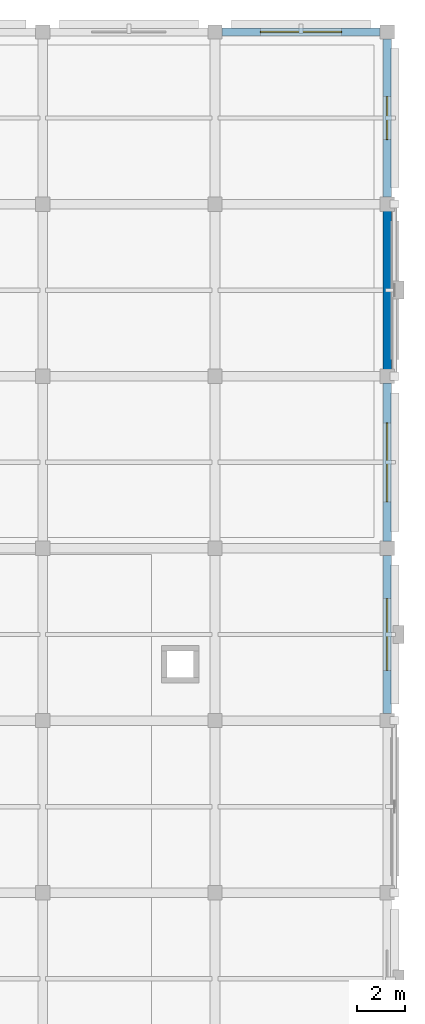
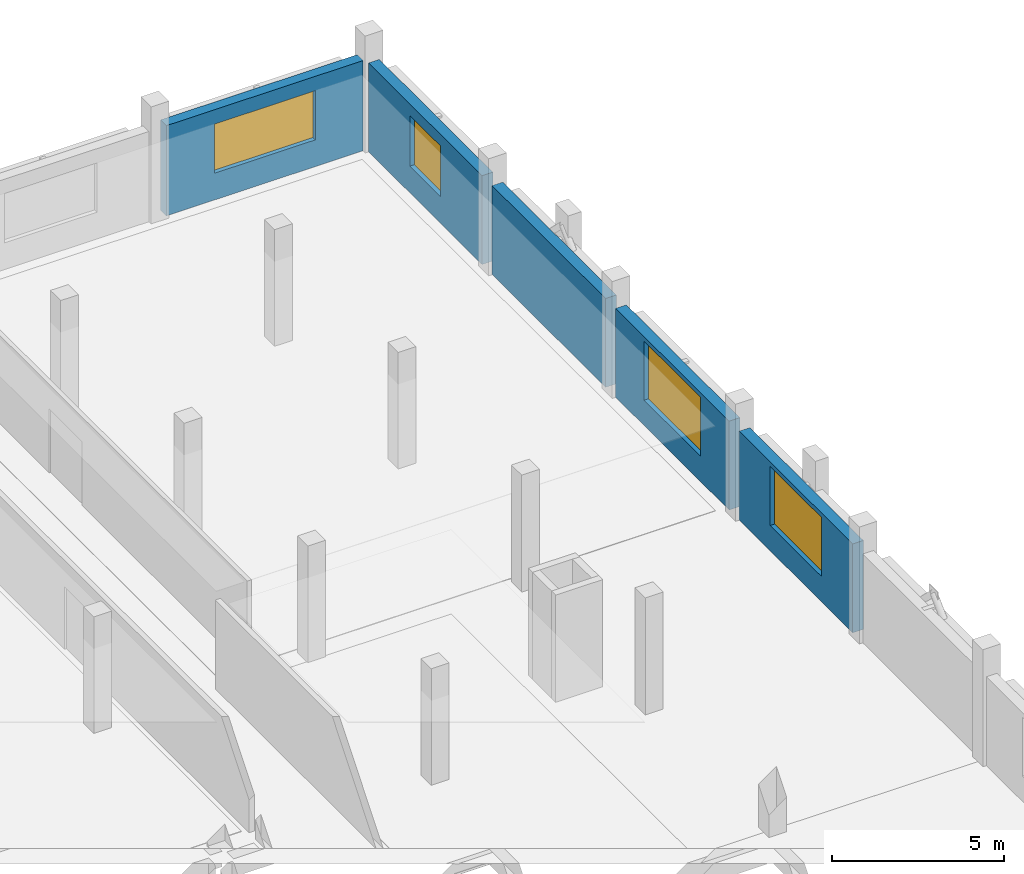
# One storey, part 39 of 51: 5 walls, 4 windows, 4 openings.
"""IFC4 building model written with IfcOpenShell, lengths in metres."""

from ifc_helpers import new_model, si_unit, direction, frame, frame_2d, origin, place, context, subcontext, project, spatial, rectangle, extrude, material, layer, layer_set, type_object, element, fill, save


model = new_model("IFC4")

# Units and contexts
model_context = context("Model", 3, precision=1e-05, world=origin(), true_north=direction((0.0, 1.0)))
body_context = subcontext(model_context, "Body", "Model", "MODEL_VIEW")
ifc_project = project(units=[si_unit("LENGTHUNIT", "METRE"), si_unit("AREAUNIT", "SQUARE_METRE"), si_unit("VOLUMEUNIT", "CUBIC_METRE"), si_unit("PLANEANGLEUNIT", "RADIAN"), si_unit("MASSUNIT", "GRAM", prefix="KILO")], contexts=[model_context])

# Site, building, storey
site_placement = place(None, origin())
site = spatial("IfcSite", under=ifc_project, at=site_placement, CompositionType="ELEMENT")
building_placement = place(site_placement, origin())
building = spatial("IfcBuilding", under=site, at=building_placement, Name="Valkovuoma Quantum and Materials Research Institute", CompositionType="ELEMENT")
storey_placement = place(building_placement, frame((0.0, 0.0, 17.280029296875)))
storey = spatial("IfcBuildingStorey", under=building, at=storey_placement, Name="L04", CompositionType="ELEMENT", Elevation=17.280029296875)

# Wall, opening, window
ifc_material_1 = material(Name="Precast concrete C40/50", Category="concrete")
ifc_layer_1 = layer(ifc_material_1, 0.340087890625)
ifc_layer_set_1 = layer_set([ifc_layer_1], Name="Precast concrete C40/50")
wall_type_1 = type_object("IfcWallType", Name="Wall-W-EXT340", PredefinedType="SOLIDWALL", material=ifc_layer_set_1)
wall_1_placement = place(storey_placement, frame((158.68994140625, 115.199951171875, 0.0), z_axis=(0.0, 0.0, 1.0), x_axis=(1.0, 0.0, 0.0)))
wall_1 = element("IfcWall", 1, at=wall_1_placement, inside=storey, type_object=wall_type_1, Name="L04 exterior wall 0316", PredefinedType="SOLIDWALL", context=body_context, shape_type="SweptSolid", body=[
    extrude(rectangle(XDim=6.6201171875, YDim=0.340087890625, at=frame_2d((3.31005859375, 0.0))), origin(), (0.0, 0.0, 1.0), 3.2099609375),
])
opening_1_placement = place(wall_1_placement, frame((1.610107421875, 0.0, 0.949951171875)))
opening_1 = element("IfcOpeningElement", 2, at=opening_1_placement, cuts=wall_1, Name="Opening WN-EX19", PredefinedType="OPENING", context=body_context, shape_type="SweptSolid", body=[
    extrude(rectangle(XDim=3.39990234375, YDim=1.75, at=frame_2d((1.699951171875, 0.875))), frame((0.0, 0.18017578125, 0.0), z_axis=(0.0, -1.0, 0.0), x_axis=(1.0, 0.0, 0.0)), (0.0, 0.0, 1.0), 0.360107421875),
])
ifc_material_2 = material(Name="Triple low-E argon glazing in thermally broken aluminium frame", Category="aluminium")
window_type_1 = type_object("IfcWindowType", Name="Win-WN-EX19", PartitioningType="SINGLE_PANEL", PredefinedType="WINDOW", material=ifc_material_2)
window_1_placement = place(opening_1_placement, origin())
window_1 = element("IfcWindow", 3, at=window_1_placement, inside=storey, type_object=window_type_1, Name="L04 window 0322", OverallHeight=1.75, OverallWidth=3.39990234375, PartitioningType="SINGLE_PANEL", PredefinedType="WINDOW", context=body_context, shape_type="SweptSolid", body=[
    extrude(rectangle(XDim=3.39990234375, YDim=1.75, at=frame_2d((1.699951171875, 0.875))), frame((0.0, 0.030029296875, 0.0), z_axis=(0.0, -1.0, 0.0), x_axis=(1.0, 0.0, 0.0)), (0.0, 0.0, 1.0), 0.06005859375),
])
fill(opening_1, window_1)

ifc_material_3 = material(Name="Precast concrete C40/50", Category="concrete")
ifc_layer_2 = layer(ifc_material_3, 0.360107421875)
ifc_layer_set_2 = layer_set([ifc_layer_2], Name="Precast concrete C40/50")
wall_type_2 = type_object("IfcWallType", Name="Wall-W-EXT360", PredefinedType="SOLIDWALL", material=ifc_layer_set_2)
wall_2_placement = place(storey_placement, frame((165.60009765625, 86.68994140625, 0.0), z_axis=(0.0, 0.0, 1.0), x_axis=(0.0, 1.0, 0.0)))
wall_2 = element("IfcWall", 4, at=wall_2_placement, inside=storey, type_object=wall_type_2, Name="L04 exterior wall 0308", PredefinedType="SOLIDWALL", context=body_context, shape_type="SweptSolid", body=[
    extrude(rectangle(XDim=6.6201171875, YDim=0.360107421875, at=frame_2d((3.31005859375, 0.0))), origin(), (0.0, 0.0, 1.0), 3.159912109375),
])
opening_2_placement = place(wall_2_placement, frame((1.81005859375, 0.0, 0.89990234375)))
opening_2 = element("IfcOpeningElement", 5, at=opening_2_placement, cuts=wall_2, Name="Opening WN-WL05", PredefinedType="OPENING", context=body_context, shape_type="SweptSolid", body=[
    extrude(rectangle(XDim=3.0, YDim=2.10009765625, at=frame_2d((1.5, 1.050048828125))), frame((0.0, 0.18994140625, 0.0), z_axis=(0.0, -1.0, 0.0), x_axis=(1.0, 0.0, 0.0)), (0.0, 0.0, 1.0), 0.380126953125),
])
ifc_material_4 = material(Name="Triple low-E argon glazing in thermally broken aluminium frame", Category="aluminium")
window_type_2 = type_object("IfcWindowType", Name="Win-WN-WL05", PartitioningType="SINGLE_PANEL", PredefinedType="WINDOW", material=ifc_material_4)
window_2_placement = place(opening_2_placement, origin())
window_2 = element("IfcWindow", 6, at=window_2_placement, inside=storey, type_object=window_type_2, Name="L04 window 0316", OverallHeight=2.10009765625, OverallWidth=3.0, PartitioningType="SINGLE_PANEL", PredefinedType="WINDOW", context=body_context, shape_type="SweptSolid", body=[
    extrude(rectangle(XDim=3.0, YDim=2.10009765625, at=frame_2d((1.5, 1.050048828125))), frame((0.0, 0.030029296875, 0.0), z_axis=(0.0, -1.0, 0.0), x_axis=(1.0, 0.0, 0.0)), (0.0, 0.0, 1.0), 0.06005859375),
])
fill(opening_2, window_2)

wall_3_placement = place(storey_placement, frame((165.60009765625, 93.889892578125, 0.0), z_axis=(0.0, 0.0, 1.0), x_axis=(0.0, 1.0, 0.0)))
wall_3 = element("IfcWall", 7, at=wall_3_placement, inside=storey, type_object=wall_type_2, Name="L04 exterior wall 0309", PredefinedType="SOLIDWALL", context=body_context, shape_type="SweptSolid", body=[
    extrude(rectangle(XDim=6.6201171875, YDim=0.360107421875, at=frame_2d((3.31005859375, 0.0))), origin(), (0.0, 0.0, 1.0), 3.159912109375),
])
opening_3_placement = place(wall_3_placement, frame((1.659912109375, 0.0, 0.89990234375)))
opening_3 = element("IfcOpeningElement", 8, at=opening_3_placement, cuts=wall_3, Name="Opening WN-WL06", PredefinedType="OPENING", context=body_context, shape_type="SweptSolid", body=[
    extrude(rectangle(XDim=3.300048828125, YDim=2.10009765625, at=frame_2d((1.64990234375, 1.050048828125))), frame((0.0, 0.18994140625, 0.0), z_axis=(0.0, -1.0, 0.0), x_axis=(1.0, 0.0, 0.0)), (0.0, 0.0, 1.0), 0.380126953125),
])
ifc_material_5 = material(Name="Triple low-E argon glazing in thermally broken aluminium frame", Category="aluminium")
window_type_3 = type_object("IfcWindowType", Name="Win-WN-WL06", PartitioningType="SINGLE_PANEL", PredefinedType="WINDOW", material=ifc_material_5)
window_3_placement = place(opening_3_placement, origin())
window_3 = element("IfcWindow", 9, at=window_3_placement, inside=storey, type_object=window_type_3, Name="L04 window 0317", OverallHeight=2.10009765625, OverallWidth=3.300048828125, PartitioningType="SINGLE_PANEL", PredefinedType="WINDOW", context=body_context, shape_type="SweptSolid", body=[
    extrude(rectangle(XDim=3.300048828125, YDim=2.10009765625, at=frame_2d((1.64990234375, 1.050048828125))), frame((0.0, 0.030029296875, 0.0), z_axis=(0.0, -1.0, 0.0), x_axis=(1.0, 0.0, 0.0)), (0.0, 0.0, 1.0), 0.06005859375),
])
fill(opening_3, window_3)

# Wall
wall_4_placement = place(storey_placement, frame((165.60009765625, 101.090087890625, 0.0), z_axis=(0.0, 0.0, 1.0), x_axis=(0.0, 1.0, 0.0)))
element("IfcWall", 10, at=wall_4_placement, inside=storey, type_object=wall_type_2, Name="L04 exterior wall 0310", PredefinedType="SOLIDWALL", context=body_context, shape_type="SweptSolid", body=[
    extrude(rectangle(XDim=6.619873046875, YDim=0.360107421875, at=frame_2d((3.31005859375, 0.0))), origin(), (0.0, 0.0, 1.0), 3.159912109375),
])

# Wall, opening, window
wall_5_placement = place(storey_placement, frame((165.60009765625, 108.2900390625, 0.0), z_axis=(0.0, 0.0, 1.0), x_axis=(0.0, 1.0, 0.0)))
wall_5 = element("IfcWall", 11, at=wall_5_placement, inside=storey, type_object=wall_type_2, Name="L04 exterior wall 0311", PredefinedType="SOLIDWALL", context=body_context, shape_type="SweptSolid", body=[
    extrude(rectangle(XDim=6.619873046875, YDim=0.360107421875, at=frame_2d((3.31005859375, 0.0))), origin(), (0.0, 0.0, 1.0), 3.159912109375),
])
opening_4_placement = place(wall_5_placement, frame((2.409912109375, 0.0, 0.949951171875)))
opening_4 = element("IfcOpeningElement", 12, at=opening_4_placement, cuts=wall_5, Name="Opening WN-WL08", PredefinedType="OPENING", context=body_context, shape_type="SweptSolid", body=[
    extrude(rectangle(XDim=1.800048828125, YDim=1.800048828125, at=frame_2d((0.89990234375, 0.89990234375))), frame((0.0, 0.18994140625, 0.0), z_axis=(0.0, -1.0, 0.0), x_axis=(1.0, 0.0, 0.0)), (0.0, 0.0, 1.0), 0.380126953125),
])
ifc_material_6 = material(Name="Triple low-E argon glazing in thermally broken aluminium frame", Category="aluminium")
window_type_4 = type_object("IfcWindowType", Name="Win-WN-WL08", PartitioningType="SINGLE_PANEL", PredefinedType="WINDOW", material=ifc_material_6)
window_4_placement = place(opening_4_placement, origin())
window_4 = element("IfcWindow", 13, at=window_4_placement, inside=storey, type_object=window_type_4, Name="L04 window 0318", OverallHeight=1.800048828125, OverallWidth=1.800048828125, PartitioningType="SINGLE_PANEL", PredefinedType="WINDOW", context=body_context, shape_type="SweptSolid", body=[
    extrude(rectangle(XDim=1.800048828125, YDim=1.800048828125, at=frame_2d((0.89990234375, 0.89990234375))), frame((0.0, 0.030029296875, 0.0), z_axis=(0.0, -1.0, 0.0), x_axis=(1.0, 0.0, 0.0)), (0.0, 0.0, 1.0), 0.06005859375),
])
fill(opening_4, window_4)

save(model, "model.ifc")
